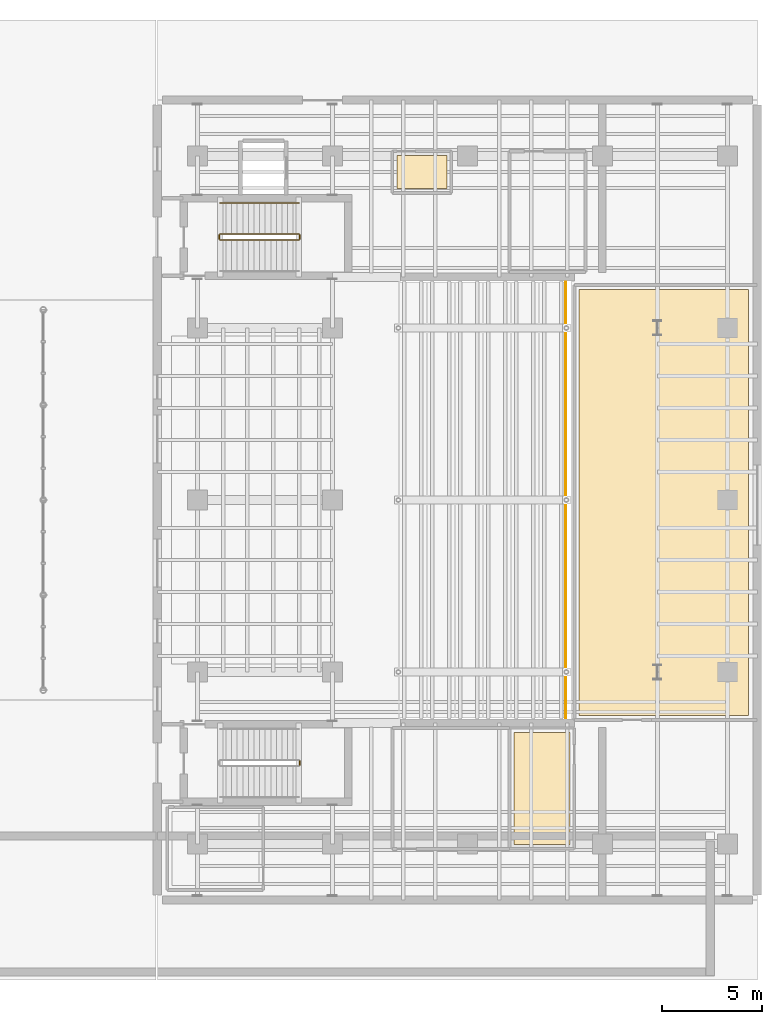
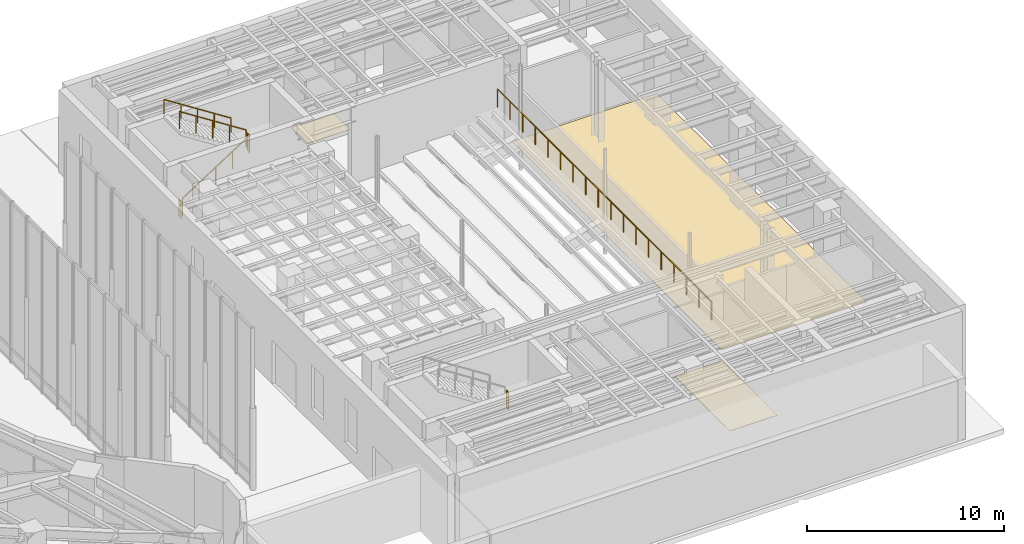
# One storey, part 27 of 28: 7 railings, 3 coverings.
"""IFC4 building model written with IfcOpenShell, lengths in metres."""

from ifc_helpers import new_model, si_unit, direction, frame, origin, origin_2d, place, context, subcontext, project, spatial, polyline, rectangle, outline, extrude, material, layer, layer_set, type_object, element, save


model = new_model("IFC4")

# Units and contexts
model_context = context("Model", 3, precision=1e-05, world=origin(), true_north=direction((0.0, 1.0)))
body_context = subcontext(model_context, "Body", "Model", "MODEL_VIEW")
ifc_project = project(units=[si_unit("LENGTHUNIT", "METRE"), si_unit("AREAUNIT", "SQUARE_METRE"), si_unit("VOLUMEUNIT", "CUBIC_METRE"), si_unit("PLANEANGLEUNIT", "RADIAN"), si_unit("MASSUNIT", "GRAM", prefix="KILO")], contexts=[model_context])

# Site, building, storey
site_placement = place(None, origin())
site = spatial("IfcSite", under=ifc_project, at=site_placement, CompositionType="ELEMENT")
building_placement = place(site_placement, origin())
building = spatial("IfcBuilding", under=site, at=building_placement, Name="Korentha Bioscience Tower", CompositionType="ELEMENT")
storey_placement = place(building_placement, origin())
storey = spatial("IfcBuildingStorey", under=building, at=storey_placement, Name="L00", CompositionType="ELEMENT", Elevation=0.0)

# Covering
ifc_material_1 = material(Name="Vitrified Porcelain Tile", Category="ceramic")
ifc_layer_1 = layer(ifc_material_1, 0.014892578125, Name="Vitrified Porcelain Tile")
ifc_layer_set_1 = layer_set([ifc_layer_1], Name="Vitrified Porcelain Tile (FL-CER)")
covering_type_1 = type_object("IfcCoveringType", Name="Anti-Slip Ceramic Wet-Room Tile Flooring 15", PredefinedType="FLOORING", material=ifc_layer_set_1)
covering_1_placement = place(storey_placement, origin())
element("IfcCovering", 1, at=covering_1_placement, inside=storey, type_object=covering_type_1, Name="L00 L00 Theatre Accessible WC Floor Finish", PredefinedType="FLOORING", context=body_context, shape_type="SweptSolid", body=[
    extrude(outline(polyline([(76.469970703125, 42.570068359375), (76.469970703125, 44.219970703125), (78.97998046875, 44.219970703125), (78.97998046875, 42.570068359375), (76.469970703125, 42.570068359375)])), origin(), (0.0, 0.0, 1.0), 0.014892578125),
])

# Railing
ifc_material_2 = material(Name="Stainless Steel 304", Category="steel")
railing_type_1 = type_object("IfcRailingType", Name="Brushed Stainless Stair Handrail 900", PredefinedType="HANDRAIL", material=ifc_material_2)
railing_1_placement = place(storey_placement, frame((71.570068359375, 41.85009765625, 2.8798828125)))
element("IfcRailing", 2, at=railing_1_placement, inside=storey, type_object=railing_type_1, Name="L00 ST-T2 stair handrail 2", PredefinedType="HANDRAIL", context=body_context, shape_type="SweptSolid", body=[
    extrude(rectangle(XDim=0.048095703125, YDim=0.048095703125, at=origin_2d()), frame((0.0, 0.0, 0.8759765625), z_axis=(-0.841186985886, 0.0, 0.540744352514), x_axis=(0.0, -1.0, 0.0)), (0.0, 0.0, 1.0), 4.660400390625),
    extrude(rectangle(XDim=0.0419921875, YDim=0.0419921875, at=origin_2d()), origin(), (0.0, 0.0, 1.0), 0.851806640625),
    extrude(rectangle(XDim=0.0419921875, YDim=0.0419921875, at=origin_2d()), frame((-0.97998046875, 0.0, 0.6298828125)), (0.0, 0.0, 1.0), 0.851806640625),
    extrude(rectangle(XDim=0.0419921875, YDim=0.0419921875, at=origin_2d()), frame((-1.9599609375, 0.0, 1.260009765625)), (0.0, 0.0, 1.0), 0.851806640625),
    extrude(rectangle(XDim=0.0419921875, YDim=0.0419921875, at=origin_2d()), frame((-2.940185546875, 0.0, 1.89013671875)), (0.0, 0.0, 1.0), 0.851806640625),
    extrude(rectangle(XDim=0.0419921875, YDim=0.0419921875, at=origin_2d()), frame((-3.920166015625, 0.0, 2.52001953125)), (0.0, 0.0, 1.0), 0.851806640625),
])

# Coverings
ifc_material_3 = material(Name="Honed Travertine Limestone", Category="masonry")
ifc_layer_2 = layer(ifc_material_3, 0.02490234375, Name="Honed Travertine Limestone")
ifc_layer_set_2 = layer_set([ifc_layer_2], Name="Honed Travertine Limestone (FL-STN)")
covering_type_2 = type_object("IfcCoveringType", Name="Honed Travertine Lobby Stone Flooring 25", PredefinedType="FLOORING", material=ifc_layer_set_2)
covering_2_placement = place(storey_placement, origin())
element("IfcCovering", 3, at=covering_2_placement, inside=storey, type_object=covering_type_2, Name="L00 L00 Ensemble Rehearsal Studio Floor Finish", PredefinedType="FLOORING", context=body_context, shape_type="SweptSolid", body=[
    extrude(outline(polyline([(85.1201171875, 9.780029296875), (82.330078125, 9.780029296875), (82.330078125, 15.3798828125), (85.1201171875, 15.3798828125), (85.1201171875, 9.780029296875)])), origin(), (0.0, 0.0, 1.0), 0.02490234375),
])
covering_3_placement = place(storey_placement, origin())
element("IfcCovering", 4, at=covering_3_placement, inside=storey, type_object=covering_type_2, Name="L00 Main Lyric Auditorium Stage and Orchestra Pit Floor Finish", PredefinedType="FLOORING", context=body_context, shape_type="SweptSolid", body=[
    extrude(outline(polyline([(94.06005859375, 16.219970703125), (85.570068359375, 16.22998046875), (85.570068359375, 37.530029296875), (94.06005859375, 37.530029296875), (94.06005859375, 16.219970703125)])), origin(), (0.0, 0.0, 1.0), 0.02490234375),
])

# Railings
ifc_material_4 = material(Name="Laminated Tempered Safety Glass", Category="glass")
railing_type_2 = type_object("IfcRailingType", Name="Laminated Glass Balcony Guardrail 1150", PredefinedType="BALUSTRADE", material=ifc_material_4)
railing_2_placement = place(storey_placement, frame((84.919921875, 16.1201171875, 2.159912109375)))
element("IfcRailing", 5, at=railing_2_placement, inside=storey, type_object=railing_type_2, Name="L00 Auditorium Seating Tier Front Balustrade", PredefinedType="BALUSTRADE", context=body_context, shape_type="SweptSolid", body=[
    extrude(rectangle(XDim=0.048095703125, YDim=0.048095703125, at=origin_2d()), frame((0.0, 0.0, 1.1259765625), z_axis=(0.0, 1.0, 0.0), x_axis=(-1.0, 0.0, 0.0)), (0.0, 0.0, 1.0), 21.759765625),
    extrude(rectangle(XDim=0.0419921875, YDim=0.0419921875, at=origin_2d()), origin(), (0.0, 0.0, 1.0), 1.101806640625),
    extrude(rectangle(XDim=0.0419921875, YDim=0.0419921875, at=origin_2d()), frame((0.0, 1.280029296875, 0.0)), (0.0, 0.0, 1.0), 1.101806640625),
    extrude(rectangle(XDim=0.0419921875, YDim=0.0419921875, at=origin_2d()), frame((0.0, 2.56005859375, 0.0)), (0.0, 0.0, 1.0), 1.101806640625),
    extrude(rectangle(XDim=0.0419921875, YDim=0.0419921875, at=origin_2d()), frame((0.0, 3.83984375, 0.0)), (0.0, 0.0, 1.0), 1.101806640625),
    extrude(rectangle(XDim=0.0419921875, YDim=0.0419921875, at=origin_2d()), frame((0.0, 5.119873046875, 0.0)), (0.0, 0.0, 1.0), 1.101806640625),
    extrude(rectangle(XDim=0.0419921875, YDim=0.0419921875, at=origin_2d()), frame((0.0, 6.39990234375, 0.0)), (0.0, 0.0, 1.0), 1.101806640625),
    extrude(rectangle(XDim=0.0419921875, YDim=0.0419921875, at=origin_2d()), frame((0.0, 7.679931640625, 0.0)), (0.0, 0.0, 1.0), 1.101806640625),
    extrude(rectangle(XDim=0.0419921875, YDim=0.0419921875, at=origin_2d()), frame((0.0, 8.9599609375, 0.0)), (0.0, 0.0, 1.0), 1.101806640625),
    extrude(rectangle(XDim=0.0419921875, YDim=0.0419921875, at=origin_2d()), frame((0.0, 10.239990234375, 0.0)), (0.0, 0.0, 1.0), 1.101806640625),
    extrude(rectangle(XDim=0.0419921875, YDim=0.0419921875, at=origin_2d()), frame((0.0, 11.519775390625, 0.0)), (0.0, 0.0, 1.0), 1.101806640625),
    extrude(rectangle(XDim=0.0419921875, YDim=0.0419921875, at=origin_2d()), frame((0.0, 12.7998046875, 0.0)), (0.0, 0.0, 1.0), 1.101806640625),
    extrude(rectangle(XDim=0.0419921875, YDim=0.0419921875, at=origin_2d()), frame((0.0, 14.079833984375, 0.0)), (0.0, 0.0, 1.0), 1.101806640625),
    extrude(rectangle(XDim=0.0419921875, YDim=0.0419921875, at=origin_2d()), frame((0.0, 15.35986328125, 0.0)), (0.0, 0.0, 1.0), 1.101806640625),
    extrude(rectangle(XDim=0.0419921875, YDim=0.0419921875, at=origin_2d()), frame((0.0, 16.639892578125, 0.0)), (0.0, 0.0, 1.0), 1.101806640625),
    extrude(rectangle(XDim=0.0419921875, YDim=0.0419921875, at=origin_2d()), frame((0.0, 17.919921875, 0.0)), (0.0, 0.0, 1.0), 1.101806640625),
    extrude(rectangle(XDim=0.0419921875, YDim=0.0419921875, at=origin_2d()), frame((0.0, 19.19970703125, 0.0)), (0.0, 0.0, 1.0), 1.101806640625),
    extrude(rectangle(XDim=0.0419921875, YDim=0.0419921875, at=origin_2d()), frame((0.0, 20.479736328125, 0.0)), (0.0, 0.0, 1.0), 1.101806640625),
    extrude(rectangle(XDim=0.0419921875, YDim=0.0419921875, at=origin_2d()), frame((0.0, 21.759765625, 0.0)), (0.0, 0.0, 1.0), 1.101806640625),
])
ifc_material_5 = material(Name="Painted Steel S275", Category="steel")
railing_type_3 = type_object("IfcRailingType", Name="Painted Steel Stair Well Guardrail 1100", PredefinedType="GUARDRAIL", material=ifc_material_5)
railing_3_placement = place(storey_placement, frame((71.6201171875, 13.75, 2.699951171875)))
element("IfcRailing", 6, at=railing_3_placement, inside=storey, type_object=railing_type_3, Name="L00 ST-T1 stair guard 2", PredefinedType="GUARDRAIL", context=body_context, shape_type="SweptSolid", body=[
    extrude(rectangle(XDim=0.048095703125, YDim=0.048095703125, at=origin_2d()), frame((0.0, 0.0, 1.076171875), z_axis=(0.0, 1.0, 0.0), x_axis=(-1.0, 0.0, 0.0)), (0.0, 0.0, 1.0), 0.199951171875),
    extrude(rectangle(XDim=0.0419921875, YDim=0.0419921875, at=origin_2d()), origin(), (0.0, 0.0, 1.0), 1.052001953125),
    extrude(rectangle(XDim=0.0419921875, YDim=0.0419921875, at=origin_2d()), frame((0.0, 0.199951171875, 0.0)), (0.0, 0.0, 1.0), 1.052001953125),
])
railing_4_placement = place(storey_placement, frame((67.64990234375, 40.0, 0.179931640625)))
element("IfcRailing", 7, at=railing_4_placement, inside=storey, type_object=railing_type_3, Name="L00 ST-T2 stair guard 1", PredefinedType="GUARDRAIL", context=body_context, shape_type="SweptSolid", body=[
    extrude(rectangle(XDim=0.048095703125, YDim=0.048095703125, at=origin_2d()), frame((0.0, 0.0, 1.076171875), z_axis=(0.841186985886, 0.0, 0.540744352514), x_axis=(0.0, 1.0, 0.0)), (0.0, 0.0, 1.0), 4.660400390625),
    extrude(rectangle(XDim=0.0419921875, YDim=0.0419921875, at=origin_2d()), origin(), (0.0, 0.0, 1.0), 1.052001953125),
    extrude(rectangle(XDim=0.0419921875, YDim=0.0419921875, at=origin_2d()), frame((0.97998046875, 0.0, 0.6298828125)), (0.0, 0.0, 1.0), 1.052001953125),
    extrude(rectangle(XDim=0.0419921875, YDim=0.0419921875, at=origin_2d()), frame((1.9599609375, 0.0, 1.260009765625)), (0.0, 0.0, 1.0), 1.052001953125),
    extrude(rectangle(XDim=0.0419921875, YDim=0.0419921875, at=origin_2d()), frame((2.940185546875, 0.0, 1.89013671875)), (0.0, 0.0, 1.0), 1.052001953125),
    extrude(rectangle(XDim=0.0419921875, YDim=0.0419921875, at=origin_2d()), frame((3.920166015625, 0.0, 2.52001953125)), (0.0, 0.0, 1.0), 1.052001953125),
])
railing_5_placement = place(storey_placement, frame((71.6201171875, 40.050048828125, 2.699951171875)))
element("IfcRailing", 8, at=railing_5_placement, inside=storey, type_object=railing_type_3, Name="L00 ST-T2 stair guard 2", PredefinedType="GUARDRAIL", context=body_context, shape_type="SweptSolid", body=[
    extrude(rectangle(XDim=0.048095703125, YDim=0.048095703125, at=origin_2d()), frame((0.0, 0.0, 1.076171875), z_axis=(0.0, 1.0, 0.0), x_axis=(-1.0, 0.0, 0.0)), (0.0, 0.0, 1.0), 0.199951171875),
    extrude(rectangle(XDim=0.0419921875, YDim=0.0419921875, at=origin_2d()), origin(), (0.0, 0.0, 1.0), 1.052001953125),
    extrude(rectangle(XDim=0.0419921875, YDim=0.0419921875, at=origin_2d()), frame((0.0, 0.199951171875, 0.0)), (0.0, 0.0, 1.0), 1.052001953125),
])
railing_6_placement = place(storey_placement, frame((71.570068359375, 40.300048828125, 2.8798828125)))
element("IfcRailing", 9, at=railing_6_placement, inside=storey, type_object=railing_type_3, Name="L00 ST-T2 stair guard 3", PredefinedType="GUARDRAIL", context=body_context, shape_type="SweptSolid", body=[
    extrude(rectangle(XDim=0.048095703125, YDim=0.048095703125, at=origin_2d()), frame((0.0, 0.0, 1.076171875), z_axis=(-0.841186985886, 0.0, 0.540744352514), x_axis=(0.0, -1.0, 0.0)), (0.0, 0.0, 1.0), 4.660400390625),
    extrude(rectangle(XDim=0.0419921875, YDim=0.0419921875, at=origin_2d()), origin(), (0.0, 0.0, 1.0), 1.052001953125),
    extrude(rectangle(XDim=0.0419921875, YDim=0.0419921875, at=origin_2d()), frame((-0.97998046875, 0.0, 0.6298828125)), (0.0, 0.0, 1.0), 1.052001953125),
    extrude(rectangle(XDim=0.0419921875, YDim=0.0419921875, at=origin_2d()), frame((-1.9599609375, 0.0, 1.260009765625)), (0.0, 0.0, 1.0), 1.052001953125),
    extrude(rectangle(XDim=0.0419921875, YDim=0.0419921875, at=origin_2d()), frame((-2.940185546875, 0.0, 1.89013671875)), (0.0, 0.0, 1.0), 1.052001953125),
    extrude(rectangle(XDim=0.0419921875, YDim=0.0419921875, at=origin_2d()), frame((-3.920166015625, 0.0, 2.52001953125)), (0.0, 0.0, 1.0), 1.052001953125),
])
railing_7_placement = place(storey_placement, frame((67.60009765625, 40.050048828125, 0.0)))
element("IfcRailing", 10, at=railing_7_placement, inside=storey, type_object=railing_type_3, Name="L00 ST-T2 stair guard 4", PredefinedType="GUARDRAIL", context=body_context, shape_type="SweptSolid", body=[
    extrude(rectangle(XDim=0.048095703125, YDim=0.048095703125, at=origin_2d()), frame((0.0, 0.0, 1.076171875), z_axis=(0.0, 1.0, 0.0), x_axis=(-1.0, 0.0, 0.0)), (0.0, 0.0, 1.0), 0.199951171875),
    extrude(rectangle(XDim=0.0419921875, YDim=0.0419921875, at=origin_2d()), origin(), (0.0, 0.0, 1.0), 1.052001953125),
    extrude(rectangle(XDim=0.0419921875, YDim=0.0419921875, at=origin_2d()), frame((0.0, 0.199951171875, 0.0)), (0.0, 0.0, 1.0), 1.052001953125),
])

save(model, "model.ifc")
